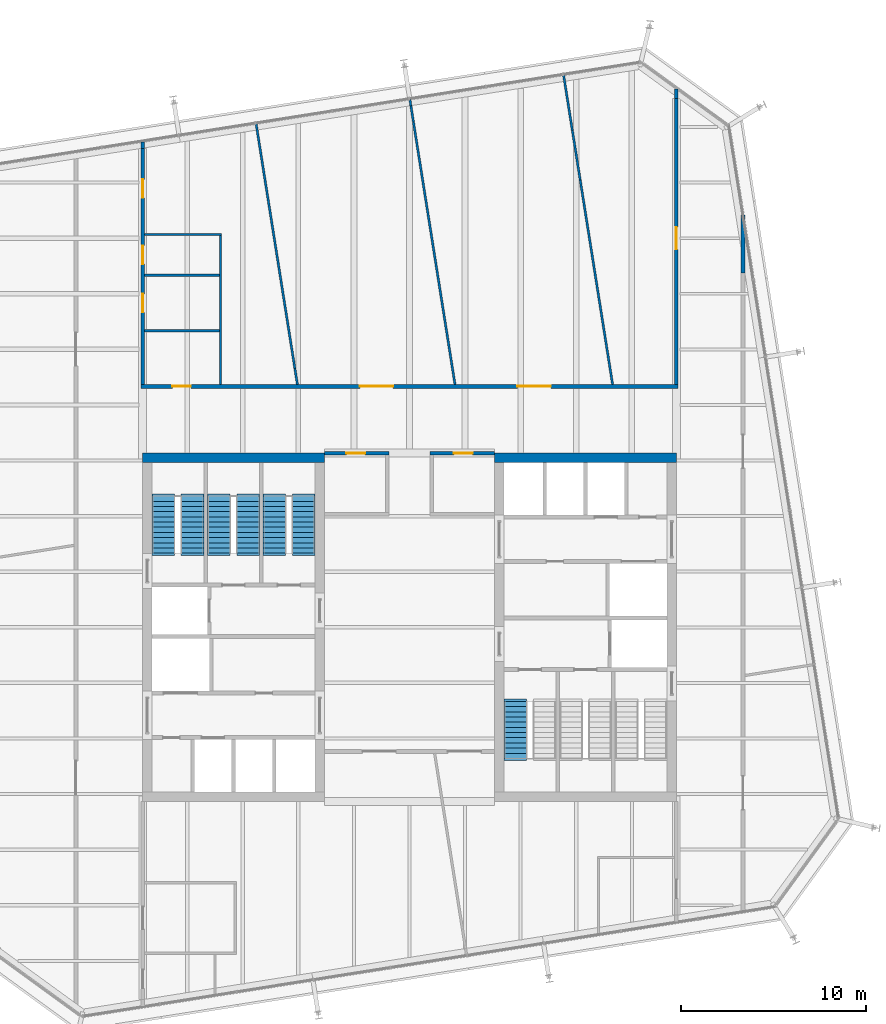
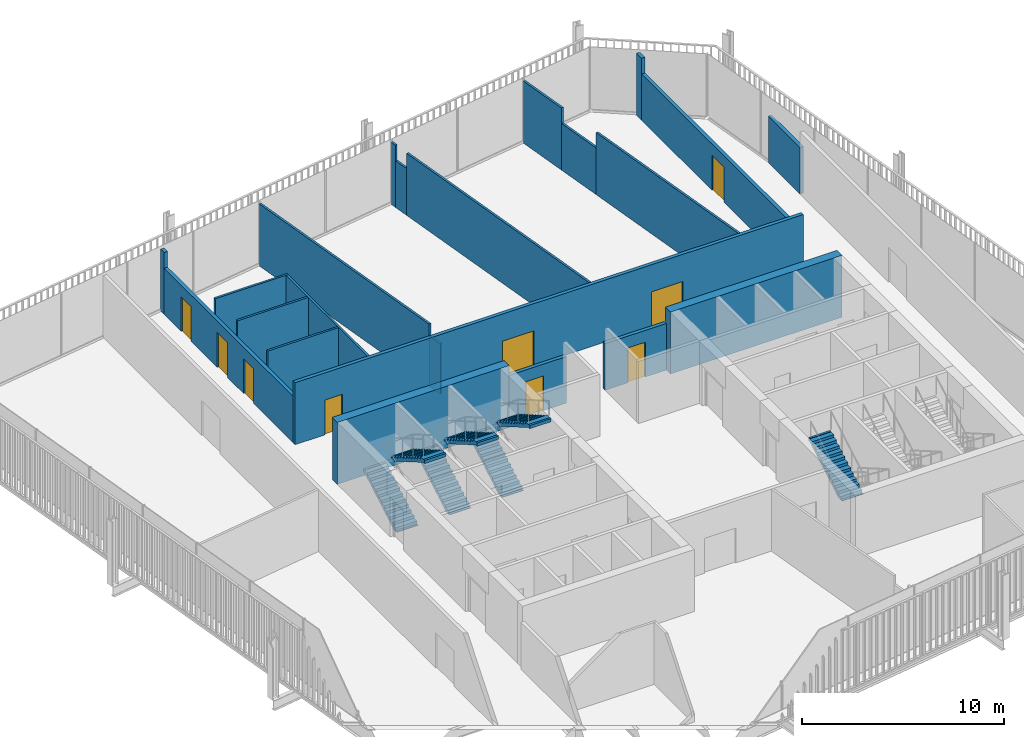
# One storey, part 18 of 20: 22 walls, 9 doors, 7 stair flights, 9 openings, 4 elements without a shape of their own.
"""IFC4 building model written with IfcOpenShell, lengths in metres."""

from ifc_helpers import new_model, si_unit, direction, frame, frame_2d, origin, place, context, subcontext, project, spatial, polyline, rectangle, outline, extrude, material, layer, layer_set, type_object, element, fill, aggregate, save


model = new_model("IFC4")

# Units and contexts
model_context = context("Model", 3, precision=1e-05, world=origin(), true_north=direction((0.0, 1.0)))
body_context = subcontext(model_context, "Body", "Model", "MODEL_VIEW")
ifc_project = project(units=[si_unit("LENGTHUNIT", "METRE"), si_unit("AREAUNIT", "SQUARE_METRE"), si_unit("VOLUMEUNIT", "CUBIC_METRE"), si_unit("PLANEANGLEUNIT", "RADIAN"), si_unit("MASSUNIT", "GRAM", prefix="KILO")], contexts=[model_context])

# Site, building, storey
site_placement = place(None, origin())
site = spatial("IfcSite", under=ifc_project, at=site_placement, CompositionType="ELEMENT")
building_placement = place(site_placement, origin())
building = spatial("IfcBuilding", under=site, at=building_placement, Name="Millrace Tower", CompositionType="ELEMENT")
storey_placement = place(building_placement, frame((0.0, 0.0, 224.199951171875)))
storey = spatial("IfcBuildingStorey", under=building, at=storey_placement, Name="L51", CompositionType="ELEMENT", Elevation=224.199951171875)

# Walls
ifc_material_1 = material(Name="Concrete C60", Category="concrete")
ifc_layer_1 = layer(ifc_material_1, 0.5)
ifc_layer_set_1 = layer_set([ifc_layer_1], Name="Concrete C60")
wall_type_1 = type_object("IfcWallType", Name="Core wall 500 Concrete C60", PredefinedType="SHEAR", material=ifc_layer_set_1)
for number, where, z_axis, x_axis, name in (
    (1, (-14.39990234375, 9.14990234375, 0.0), (0.0, 0.0, 1.0), (1.0, 0.0, 0.0), "Core wall W L51"),
    (2, (14.39990234375, 9.14990234375, 0.0), (0.0, 0.0, 1.0), (-1.0, 0.0, 0.0), "Core wall E L51"),
):
    element("IfcWall", number, at=place(storey_placement, frame(where, z_axis=z_axis, x_axis=x_axis)), inside=storey, type_object=wall_type_1, Name=name, PredefinedType="SHEAR", context=body_context, shape_type="SweptSolid", body=[
        extrude(rectangle(XDim=9.7998046875, YDim=0.5, at=frame_2d((4.89990234375, 0.0))), origin(), (0.0, 0.0, 1.0), 3.739990234375),
    ])

# Wall, opening, door
ifc_material_2 = material(Name="Masonry partition, fire-rated", Category="masonry")
ifc_layer_2 = layer(ifc_material_2, 0.199951171875)
ifc_layer_set_2 = layer_set([ifc_layer_2], Name="Masonry partition, fire-rated")
wall_type_2 = type_object("IfcWallType", Name="Corridor wall 200", PredefinedType="PARTITIONING", material=ifc_layer_set_2)
wall_1_placement = place(storey_placement, frame((-4.60009765625, 9.39990234375, 0.0), z_axis=(0.0, 0.0, 1.0), x_axis=(1.0, 0.0, 0.0)))
wall_1 = element("IfcWall", 3, at=wall_1_placement, inside=storey, type_object=wall_type_2, Name="Corridor wall L51", PredefinedType="PARTITIONING", context=body_context, shape_type="SweptSolid", body=[
    extrude(rectangle(XDim=3.5, YDim=0.199951171875, at=frame_2d((1.75, 0.0))), origin(), (0.0, 0.0, 1.0), 2.81298828125),
])
opening_1_placement = place(wall_1_placement, frame((1.199951171875, 0.0, 0.0)))
opening_1 = element("IfcOpeningElement", 4, at=opening_1_placement, cuts=wall_1, Name="Opening 51-P001", PredefinedType="OPENING", context=body_context, shape_type="SweptSolid", body=[
    extrude(rectangle(XDim=1.0, YDim=2.10009765625, at=frame_2d((0.5, 1.050048828125))), frame((0.0, 0.10986328125, 0.0), z_axis=(0.0, -1.0, 0.0), x_axis=(1.0, 0.0, 0.0)), (0.0, 0.0, 1.0), 0.219970703125),
])
ifc_material_3 = material(Name="Steel door set, fire-rated", Category="steel")
door_type_1 = type_object("IfcDoorType", Name="Corridor door 1000 x 2100", OperationType="SINGLE_SWING_LEFT", PredefinedType="DOOR", material=ifc_material_3)
door_1_placement = place(opening_1_placement, frame((1.0, 0.0, 0.0), z_axis=(0.0, 0.0, 1.0), x_axis=(-1.0, 0.0, 0.0)))
door_1 = element("IfcDoor", 5, at=door_1_placement, inside=storey, type_object=door_type_1, Name="Door 51-P001", OperationType="SINGLE_SWING_LEFT", OverallHeight=2.10009765625, OverallWidth=1.0, PredefinedType="DOOR", context=body_context, shape_type="SweptSolid", body=[
    extrude(rectangle(XDim=1.0, YDim=2.10009765625, at=frame_2d((0.5, 1.050048828125))), frame((0.0, 0.02490234375, 0.0), z_axis=(0.0, -1.0, 0.0), x_axis=(1.0, 0.0, 0.0)), (0.0, 0.0, 1.0), 0.050048828125),
])
fill(opening_1, door_1)

wall_2_placement = place(storey_placement, frame((1.10009765625, 9.39990234375, 0.0), z_axis=(0.0, 0.0, 1.0), x_axis=(1.0, 0.0, 0.0)))
wall_2 = element("IfcWall", 6, at=wall_2_placement, inside=storey, type_object=wall_type_2, Name="Corridor wall L51", PredefinedType="PARTITIONING", context=body_context, shape_type="SweptSolid", body=[
    extrude(rectangle(XDim=3.5, YDim=0.199951171875, at=frame_2d((1.75, 0.0))), origin(), (0.0, 0.0, 1.0), 2.81298828125),
])
opening_2_placement = place(wall_2_placement, frame((1.300048828125, 0.0, 0.0)))
opening_2 = element("IfcOpeningElement", 7, at=opening_2_placement, cuts=wall_2, Name="Opening 51-P002", PredefinedType="OPENING", context=body_context, shape_type="SweptSolid", body=[
    extrude(rectangle(XDim=1.0, YDim=2.10009765625, at=frame_2d((0.5, 1.050048828125))), frame((0.0, 0.10986328125, 0.0), z_axis=(0.0, -1.0, 0.0), x_axis=(1.0, 0.0, 0.0)), (0.0, 0.0, 1.0), 0.219970703125),
])
door_2_placement = place(opening_2_placement, frame((1.0, 0.0, 0.0), z_axis=(0.0, 0.0, 1.0), x_axis=(-1.0, 0.0, 0.0)))
door_2 = element("IfcDoor", 8, at=door_2_placement, inside=storey, type_object=door_type_1, Name="Door 51-P002", OperationType="SINGLE_SWING_LEFT", OverallHeight=2.10009765625, OverallWidth=1.0, PredefinedType="DOOR", context=body_context, shape_type="SweptSolid", body=[
    extrude(rectangle(XDim=1.0, YDim=2.10009765625, at=frame_2d((0.5, 1.050048828125))), frame((0.0, 0.02490234375, 0.0), z_axis=(0.0, -1.0, 0.0), x_axis=(1.0, 0.0, 0.0)), (0.0, 0.0, 1.0), 0.050048828125),
])
fill(opening_2, door_2)

# Wall, openings, doors
wall_3_placement = place(storey_placement, frame((-14.5, 13.0, 0.0), z_axis=(0.0, 0.0, 1.0), x_axis=(1.0, 0.0, 0.0)))
wall_3 = element("IfcWall", 9, at=wall_3_placement, inside=storey, type_object=wall_type_2, Name="Corridor wall L51", PredefinedType="PARTITIONING", context=body_context, shape_type="SweptSolid", body=[
    extrude(rectangle(XDim=29.0, YDim=0.199951171875, at=frame_2d((14.5, 0.0))), origin(), (0.0, 0.0, 1.0), 3.739990234375),
])
opening_3_placement = place(wall_3_placement, frame((1.699951171875, 0.0, 0.0)))
opening_3 = element("IfcOpeningElement", 10, at=opening_3_placement, cuts=wall_3, Name="Opening 51-P006", PredefinedType="OPENING", context=body_context, shape_type="SweptSolid", body=[
    extrude(rectangle(XDim=1.0, YDim=2.10009765625, at=frame_2d((0.5, 1.050048828125))), frame((0.0, 0.10986328125, 0.0), z_axis=(0.0, -1.0, 0.0), x_axis=(1.0, 0.0, 0.0)), (0.0, 0.0, 1.0), 0.219970703125),
])
opening_4_placement = place(wall_3_placement, frame((11.819580078125, 0.0, 0.0)))
opening_4 = element("IfcOpeningElement", 11, at=opening_4_placement, cuts=wall_3, Name="Opening 51-P009", PredefinedType="OPENING", context=body_context, shape_type="SweptSolid", body=[
    extrude(rectangle(XDim=1.800048828125, YDim=2.10009765625, at=frame_2d((0.89990234375, 1.050048828125))), frame((0.0, 0.10986328125, 0.0), z_axis=(0.0, -1.0, 0.0), x_axis=(1.0, 0.0, 0.0)), (0.0, 0.0, 1.0), 0.219970703125),
])
opening_5_placement = place(wall_3_placement, frame((20.324462890625, 0.0, 0.0)))
opening_5 = element("IfcOpeningElement", 12, at=opening_5_placement, cuts=wall_3, Name="Opening 51-P010", PredefinedType="OPENING", context=body_context, shape_type="SweptSolid", body=[
    extrude(rectangle(XDim=1.800048828125, YDim=2.10009765625, at=frame_2d((0.89990234375, 1.050048828125))), frame((0.0, 0.10986328125, 0.0), z_axis=(0.0, -1.0, 0.0), x_axis=(1.0, 0.0, 0.0)), (0.0, 0.0, 1.0), 0.219970703125),
])
door_3_placement = place(opening_3_placement, origin())
door_3 = element("IfcDoor", 13, at=door_3_placement, inside=storey, type_object=door_type_1, Name="Door 51-P006", OperationType="SINGLE_SWING_LEFT", OverallHeight=2.10009765625, OverallWidth=1.0, PredefinedType="DOOR", context=body_context, shape_type="SweptSolid", body=[
    extrude(rectangle(XDim=1.0, YDim=2.10009765625, at=frame_2d((0.5, 1.050048828125))), frame((0.0, 0.02490234375, 0.0), z_axis=(0.0, -1.0, 0.0), x_axis=(1.0, 0.0, 0.0)), (0.0, 0.0, 1.0), 0.050048828125),
])
fill(opening_3, door_3)
ifc_material_4 = material(Name="Steel door set, fire-rated", Category="steel")
door_type_2 = type_object("IfcDoorType", Name="Corridor door 1800 x 2100", OperationType="DOUBLE_DOOR_SINGLE_SWING", PredefinedType="DOOR", material=ifc_material_4)
door_4_placement = place(opening_4_placement, origin())
door_4 = element("IfcDoor", 14, at=door_4_placement, inside=storey, type_object=door_type_2, Name="Door 51-P009", OperationType="DOUBLE_DOOR_SINGLE_SWING", OverallHeight=2.10009765625, OverallWidth=1.800048828125, PredefinedType="DOOR", context=body_context, shape_type="SweptSolid", body=[
    extrude(rectangle(XDim=1.800048828125, YDim=2.10009765625, at=frame_2d((0.89990234375, 1.050048828125))), frame((0.0, 0.02490234375, 0.0), z_axis=(0.0, -1.0, 0.0), x_axis=(1.0, 0.0, 0.0)), (0.0, 0.0, 1.0), 0.050048828125),
])
fill(opening_4, door_4)
door_5_placement = place(opening_5_placement, origin())
door_5 = element("IfcDoor", 15, at=door_5_placement, inside=storey, type_object=door_type_2, Name="Door 51-P010", OperationType="DOUBLE_DOOR_SINGLE_SWING", OverallHeight=2.10009765625, OverallWidth=1.800048828125, PredefinedType="DOOR", context=body_context, shape_type="SweptSolid", body=[
    extrude(rectangle(XDim=1.800048828125, YDim=2.10009765625, at=frame_2d((0.89990234375, 1.050048828125))), frame((0.0, 0.02490234375, 0.0), z_axis=(0.0, -1.0, 0.0), x_axis=(1.0, 0.0, 0.0)), (0.0, 0.0, 1.0), 0.050048828125),
])
fill(opening_5, door_5)

# Wall
wall_4_placement = place(storey_placement, frame((18.0, 19.1171875, 0.0), z_axis=(0.0, 0.0, 1.0), x_axis=(0.0, 1.0, 0.0)))
element("IfcWall", 16, at=wall_4_placement, inside=storey, type_object=wall_type_2, Name="Corridor wall L51", PredefinedType="PARTITIONING", context=body_context, shape_type="SweptSolid", body=[
    extrude(rectangle(XDim=3.137451171875, YDim=0.199951171875, at=frame_2d((1.56884765625, 0.0))), origin(), (0.0, 0.0, 1.0), 2.81298828125),
])

# Wall, opening, door
wall_5_placement = place(storey_placement, frame((14.39990234375, 13.10009765625, 0.0), z_axis=(0.0, 0.0, 1.0), x_axis=(0.0, 1.0, 0.0)))
wall_5 = element("IfcWall", 17, at=wall_5_placement, inside=storey, type_object=wall_type_2, Name="Corridor wall L51", PredefinedType="PARTITIONING", context=body_context, shape_type="SweptSolid", body=[
    extrude(rectangle(XDim=15.440673828125, YDim=0.199951171875, at=frame_2d((7.72021484375, 0.0))), origin(), (0.0, 0.0, 1.0), 2.792724609375),
])
opening_6_placement = place(wall_5_placement, frame((7.298095703125, 0.0, 0.0)))
opening_6 = element("IfcOpeningElement", 18, at=opening_6_placement, cuts=wall_5, Name="Opening 51-P011", PredefinedType="OPENING", context=body_context, shape_type="SweptSolid", body=[
    extrude(rectangle(XDim=1.199951171875, YDim=2.10009765625, at=frame_2d((0.60009765625, 1.050048828125))), frame((0.0, 0.10986328125, 0.0), z_axis=(0.0, -1.0, 0.0), x_axis=(1.0, 0.0, 0.0)), (0.0, 0.0, 1.0), 0.219970703125),
])
ifc_material_5 = material(Name="Steel door set, fire-rated", Category="steel")
door_type_3 = type_object("IfcDoorType", Name="Corridor door 1200 x 2100", OperationType="SINGLE_SWING_LEFT", PredefinedType="DOOR", material=ifc_material_5)
door_6_placement = place(opening_6_placement, origin())
door_6 = element("IfcDoor", 19, at=door_6_placement, inside=storey, type_object=door_type_3, Name="Door 51-P011", OperationType="SINGLE_SWING_RIGHT", OverallHeight=2.10009765625, OverallWidth=1.199951171875, PredefinedType="DOOR", context=body_context, shape_type="SweptSolid", body=[
    extrude(rectangle(XDim=1.199951171875, YDim=2.10009765625, at=frame_2d((0.60009765625, 1.050048828125))), frame((0.0, 0.02490234375, 0.0), z_axis=(0.0, -1.0, 0.0), x_axis=(1.0, 0.0, 0.0)), (0.0, 0.0, 1.0), 0.050048828125),
])
fill(opening_6, door_6)

# Wall
wall_6_placement = place(storey_placement, frame((14.39990234375, 28.540771484375, 0.0), z_axis=(0.0, 0.0, 1.0), x_axis=(0.0, 1.0, 0.0)))
element("IfcWall", 20, at=wall_6_placement, inside=storey, type_object=wall_type_2, Name="Corridor wall L51", PredefinedType="PARTITIONING", context=body_context, shape_type="SweptSolid", body=[
    extrude(rectangle(XDim=0.51708984375, YDim=0.199951171875, at=frame_2d((0.258544921875, 0.0))), origin(), (0.0, 0.0, 1.0), 3.739990234375),
])

# Wall, openings, doors
wall_7_placement = place(storey_placement, frame((-14.39990234375, 13.10009765625, 0.0), z_axis=(0.0, 0.0, 1.0), x_axis=(0.0, 1.0, 0.0)))
wall_7 = element("IfcWall", 21, at=wall_7_placement, inside=storey, type_object=wall_type_2, Name="Corridor wall L51", PredefinedType="PARTITIONING", context=body_context, shape_type="SweptSolid", body=[
    extrude(rectangle(XDim=12.74853515625, YDim=0.199951171875, at=frame_2d((6.374267578125, 0.0))), origin(), (0.0, 0.0, 1.0), 2.792724609375),
])
opening_7_placement = place(wall_7_placement, frame((10.073974609375, 0.0, 0.0)))
opening_7 = element("IfcOpeningElement", 22, at=opening_7_placement, cuts=wall_7, Name="Opening 51-P005", PredefinedType="OPENING", context=body_context, shape_type="SweptSolid", body=[
    extrude(rectangle(XDim=1.0, YDim=2.10009765625, at=frame_2d((0.5, 1.050048828125))), frame((0.0, 0.10986328125, 0.0), z_axis=(0.0, -1.0, 0.0), x_axis=(1.0, 0.0, 0.0)), (0.0, 0.0, 1.0), 0.219970703125),
])
opening_8_placement = place(wall_7_placement, frame((3.89990234375, 0.0, 0.0)))
opening_8 = element("IfcOpeningElement", 23, at=opening_8_placement, cuts=wall_7, Name="Opening 51-P007", PredefinedType="OPENING", context=body_context, shape_type="SweptSolid", body=[
    extrude(rectangle(XDim=1.0, YDim=2.10009765625, at=frame_2d((0.5, 1.050048828125))), frame((0.0, 0.10986328125, 0.0), z_axis=(0.0, -1.0, 0.0), x_axis=(1.0, 0.0, 0.0)), (0.0, 0.0, 1.0), 0.219970703125),
])
opening_9_placement = place(wall_7_placement, frame((6.5, 0.0, 0.0)))
opening_9 = element("IfcOpeningElement", 24, at=opening_9_placement, cuts=wall_7, Name="Opening 51-P008", PredefinedType="OPENING", context=body_context, shape_type="SweptSolid", body=[
    extrude(rectangle(XDim=1.0, YDim=2.10009765625, at=frame_2d((0.5, 1.050048828125))), frame((0.0, 0.10986328125, 0.0), z_axis=(0.0, -1.0, 0.0), x_axis=(1.0, 0.0, 0.0)), (0.0, 0.0, 1.0), 0.219970703125),
])
door_7_placement = place(opening_7_placement, frame((1.0, 0.0, 0.0), z_axis=(0.0, 0.0, 1.0), x_axis=(-1.0, 0.0, 0.0)))
door_7 = element("IfcDoor", 25, at=door_7_placement, inside=storey, type_object=door_type_1, Name="Door 51-P005", OperationType="SINGLE_SWING_LEFT", OverallHeight=2.10009765625, OverallWidth=1.0, PredefinedType="DOOR", context=body_context, shape_type="SweptSolid", body=[
    extrude(rectangle(XDim=1.0, YDim=2.10009765625, at=frame_2d((0.5, 1.050048828125))), frame((0.0, 0.02490234375, 0.0), z_axis=(0.0, -1.0, 0.0), x_axis=(1.0, 0.0, 0.0)), (0.0, 0.0, 1.0), 0.050048828125),
])
fill(opening_7, door_7)
door_8_placement = place(opening_8_placement, frame((1.0, 0.0, 0.0), z_axis=(0.0, 0.0, 1.0), x_axis=(-1.0, 0.0, 0.0)))
door_8 = element("IfcDoor", 26, at=door_8_placement, inside=storey, type_object=door_type_1, Name="Door 51-P007", OperationType="SINGLE_SWING_RIGHT", OverallHeight=2.10009765625, OverallWidth=1.0, PredefinedType="DOOR", context=body_context, shape_type="SweptSolid", body=[
    extrude(rectangle(XDim=1.0, YDim=2.10009765625, at=frame_2d((0.5, 1.050048828125))), frame((0.0, 0.02490234375, 0.0), z_axis=(0.0, -1.0, 0.0), x_axis=(1.0, 0.0, 0.0)), (0.0, 0.0, 1.0), 0.050048828125),
])
fill(opening_8, door_8)
door_9_placement = place(opening_9_placement, frame((1.0, 0.0, 0.0), z_axis=(0.0, 0.0, 1.0), x_axis=(-1.0, 0.0, 0.0)))
door_9 = element("IfcDoor", 27, at=door_9_placement, inside=storey, type_object=door_type_1, Name="Door 51-P008", OperationType="SINGLE_SWING_LEFT", OverallHeight=2.10009765625, OverallWidth=1.0, PredefinedType="DOOR", context=body_context, shape_type="SweptSolid", body=[
    extrude(rectangle(XDim=1.0, YDim=2.10009765625, at=frame_2d((0.5, 1.050048828125))), frame((0.0, 0.02490234375, 0.0), z_axis=(0.0, -1.0, 0.0), x_axis=(1.0, 0.0, 0.0)), (0.0, 0.0, 1.0), 0.050048828125),
])
fill(opening_9, door_9)

# Walls
wall_8_placement = place(storey_placement, frame((-14.39990234375, 25.8486328125, 0.0), z_axis=(0.0, 0.0, 1.0), x_axis=(0.0, 1.0, 0.0)))
element("IfcWall", 28, at=wall_8_placement, inside=storey, type_object=wall_type_2, Name="Corridor wall L51", PredefinedType="PARTITIONING", context=body_context, shape_type="SweptSolid", body=[
    extrude(rectangle(XDim=0.349609375, YDim=0.199951171875, at=frame_2d((0.1748046875, 0.0))), origin(), (0.0, 0.0, 1.0), 3.739990234375),
])
ifc_material_6 = material(Name="Gypsum board partition")
ifc_layer_3 = layer(ifc_material_6, 0.1201171875)
ifc_layer_set_3 = layer_set([ifc_layer_3], Name="Gypsum board partition")
wall_type_3 = type_object("IfcWallType", Name="Partition wall 120", PredefinedType="PARTITIONING", material=ifc_layer_set_3)
wall_9_placement = place(storey_placement, frame((-8.27685546875, 27.16796875, 0.0), z_axis=(0.0, 0.0, 1.0), x_axis=(0.156429057976, -0.987689196975, 0.0)))
element("IfcWall", 29, at=wall_9_placement, inside=storey, type_object=wall_type_3, Name="Partition wall L51", PredefinedType="PARTITIONING", context=body_context, shape_type="SweptSolid", body=[
    extrude(rectangle(XDim=13.356689453125, YDim=0.1201171875, at=frame_2d((6.67822265625, 0.0))), origin(), (0.0, 0.0, 1.0), 3.739990234375),
])
wall_10_placement = place(storey_placement, frame((-6.1875, 13.975830078125, 0.0), z_axis=(0.0, 0.0, 1.0), x_axis=(0.156456753073, -0.98768481026, 0.0)))
element("IfcWall", 30, at=wall_10_placement, inside=storey, type_object=wall_type_3, Name="Partition wall L51", PredefinedType="PARTITIONING", context=body_context, shape_type="SweptSolid", body=[
    extrude(rectangle(XDim=0.887939453125, YDim=0.1201171875, at=frame_2d((0.44384765625, 0.0))), origin(), (0.0, 0.0, 1.0), 3.046630859375),
])
wall_11_placement = place(storey_placement, frame((0.020263671875, 28.482177734375, 0.0), z_axis=(0.0, 0.0, 1.0), x_axis=(0.155999489422, -0.987757135788, 0.0)))
element("IfcWall", 31, at=wall_11_placement, inside=storey, type_object=wall_type_3, Name="Partition wall L51", PredefinedType="PARTITIONING", context=body_context, shape_type="SweptSolid", body=[
    extrude(rectangle(XDim=0.339599609375, YDim=0.1201171875, at=frame_2d((0.169921875, 0.0))), origin(), (0.0, 0.0, 1.0), 3.739990234375),
])
wall_12_placement = place(storey_placement, frame((0.0732421875, 28.146728515625, 0.0), z_axis=(0.0, 0.0, 1.0), x_axis=(0.156454153155, -0.987685222103, 0.0)))
element("IfcWall", 32, at=wall_12_placement, inside=storey, type_object=wall_type_3, Name="Partition wall L51", PredefinedType="PARTITIONING", context=body_context, shape_type="SweptSolid", body=[
    extrude(rectangle(XDim=0.892578125, YDim=0.1201171875, at=frame_2d((0.4462890625, 0.0))), origin(), (0.0, 0.0, 1.0), 2.81298828125),
])
wall_13_placement = place(storey_placement, frame((0.212890625, 27.26513671875, 0.0), z_axis=(0.0, 0.0, 1.0), x_axis=(0.156413589686, -0.9876916467, 0.0)))
element("IfcWall", 33, at=wall_13_placement, inside=storey, type_object=wall_type_3, Name="Partition wall L51", PredefinedType="PARTITIONING", context=body_context, shape_type="SweptSolid", body=[
    extrude(rectangle(XDim=14.3427734375, YDim=0.1201171875, at=frame_2d((7.17138671875, 0.0))), origin(), (0.0, 0.0, 1.0), 3.739990234375),
])
wall_14_placement = place(storey_placement, frame((8.316162109375, 29.796142578125, 0.0), z_axis=(0.0, 0.0, 1.0), x_axis=(0.15649998255, -0.987677961413, 0.0)))
element("IfcWall", 34, at=wall_14_placement, inside=storey, type_object=wall_type_3, Name="Partition wall L51", PredefinedType="PARTITIONING", context=body_context, shape_type="SweptSolid", body=[
    extrude(rectangle(XDim=3.00927734375, YDim=0.1201171875, at=frame_2d((1.504638671875, 0.0))), origin(), (0.0, 0.0, 1.0), 3.739990234375),
])
wall_15_placement = place(storey_placement, frame((8.787109375, 26.823974609375, 0.0), z_axis=(0.0, 0.0, 1.0), x_axis=(0.156436996348, -0.987687939672, 0.0)))
element("IfcWall", 35, at=wall_15_placement, inside=storey, type_object=wall_type_3, Name="Partition wall L51", PredefinedType="PARTITIONING", context=body_context, shape_type="SweptSolid", body=[
    extrude(rectangle(XDim=2.7216796875, YDim=0.1201171875, at=frame_2d((1.36083984375, 0.0))), origin(), (0.0, 0.0, 1.0), 2.81298828125),
])
wall_16_placement = place(storey_placement, frame((9.212890625, 24.1357421875, 0.0), z_axis=(0.0, 0.0, 1.0), x_axis=(0.156475271536, -0.987681876617, 0.0)))
element("IfcWall", 36, at=wall_16_placement, inside=storey, type_object=wall_type_3, Name="Partition wall L51", PredefinedType="PARTITIONING", context=body_context, shape_type="SweptSolid", body=[
    extrude(rectangle(XDim=11.174560546875, YDim=0.1201171875, at=frame_2d((5.58740234375, 0.0))), origin(), (0.0, 0.0, 1.0), 3.739990234375),
])
for number, where, z_axis, x_axis, name in (
    (37, (-14.300048828125, 16.0, 0.0), (0.0, 0.0, 1.0), (1.0, 0.0, 0.0), "Partition wall L51"),
    (38, (-14.300048828125, 19.0, 0.0), (0.0, 0.0, 1.0), (1.0, 0.0, 0.0), "Partition wall L51"),
):
    element("IfcWall", number, at=place(storey_placement, frame(where, z_axis=z_axis, x_axis=x_axis)), inside=storey, type_object=wall_type_3, Name=name, PredefinedType="PARTITIONING", context=body_context, shape_type="SweptSolid", body=[
        extrude(rectangle(XDim=4.0400390625, YDim=0.1201171875, at=frame_2d((2.02001953125, 0.0))), origin(), (0.0, 0.0, 1.0), 3.739990234375),
    ])
wall_17_placement = place(storey_placement, frame((-14.300048828125, 21.199951171875, 0.0), z_axis=(0.0, 0.0, 1.0), x_axis=(1.0, 0.0, 0.0)))
element("IfcWall", 39, at=wall_17_placement, inside=storey, type_object=wall_type_3, Name="Partition wall L51", PredefinedType="PARTITIONING", context=body_context, shape_type="SweptSolid", body=[
    extrude(rectangle(XDim=4.16015625, YDim=0.1201171875, at=frame_2d((2.080078125, 0.0))), origin(), (0.0, 0.0, 1.0), 3.739990234375),
])
wall_18_placement = place(storey_placement, frame((-10.199951171875, 13.10009765625, 0.0), z_axis=(0.0, 0.0, 1.0), x_axis=(0.0, 1.0, 0.0)))
element("IfcWall", 40, at=wall_18_placement, inside=storey, type_object=wall_type_3, Name="Partition wall L51", PredefinedType="PARTITIONING", context=body_context, shape_type="SweptSolid", body=[
    extrude(rectangle(XDim=8.039794921875, YDim=0.1201171875, at=frame_2d((4.02001953125, 0.0))), origin(), (0.0, 0.0, 1.0), 3.739990234375),
])

# Stair, stair flights
ifc_material_7 = material(Name="Concrete C35", Category="concrete")
stair_type = type_object("IfcStairType", Name="Exit stair", PredefinedType="HALF_TURN_STAIR", material=ifc_material_7)
placement = place(storey_placement, origin())
stair_1 = element("IfcStair", 41, at=placement, inside=storey, type_object=stair_type, Name="Stair 1 W L51", PredefinedType="HALF_TURN_STAIR")
ifc_material_8 = material(Name="Concrete C35", Category="concrete")
stair_flight_type = type_object("IfcStairFlightType", Name="Exit stair flight", PredefinedType="STRAIGHT", material=ifc_material_8)
stair_flight_1_placement = place(storey_placement, frame((-13.2900390625, 4.0, 0.0), z_axis=(0.0, 0.0, 1.0), x_axis=(0.0, 1.0, 0.0)))
stair_flight_1 = element("IfcStairFlight", 42, at=stair_flight_1_placement, type_object=stair_flight_type, Name="ST12 flight 1", NumberOfRisers=12, NumberOfTreads=11, PredefinedType="STRAIGHT", RiserHeight=0.1625, TreadLength=0.28, context=body_context, shape_type="SweptSolid", body=[
    extrude(outline(polyline([(-0.1201171875, -0.0400390625), (-0.1201171875, 0.0), (0.0, 0.0), (0.0, 0.16259765625), (0.280029296875, 0.16259765625), (0.280029296875, 0.324951171875), (0.56005859375, 0.324951171875), (0.56005859375, 0.487548828125), (0.840087890625, 0.487548828125), (0.840087890625, 0.64990234375), (1.1201171875, 0.64990234375), (1.1201171875, 0.8125), (1.39990234375, 0.8125), (1.39990234375, 0.97509765625), (1.679931640625, 0.97509765625), (1.679931640625, 1.137451171875), (1.9599609375, 1.137451171875), (1.9599609375, 1.300048828125), (2.239990234375, 1.300048828125), (2.239990234375, 1.46240234375), (2.52001953125, 1.46240234375), (2.52001953125, 1.625), (2.800048828125, 1.625), (2.800048828125, 1.78759765625), (3.080078125, 1.78759765625), (3.080078125, 1.8076171875), (3.199951171875, 1.8076171875), (3.199951171875, 1.6142578125), (3.080078125, 1.6142578125), (0.298583984375, 0.0), (0.298583984375, -0.0400390625), (-0.1201171875, -0.0400390625)])), frame((0.0, 0.60986328125, 0.0), z_axis=(0.0, -1.0, 0.0), x_axis=(1.0, 0.0, 0.0)), (0.0, 0.0, 1.0), 1.219970703125),
])
stair_flight_2_placement = place(storey_placement, frame((-11.7099609375, 7.080078125, 1.949951171875), z_axis=(0.0, 0.0, 1.0), x_axis=(0.0, -1.0, 0.0)))
stair_flight_2 = element("IfcStairFlight", 43, at=stair_flight_2_placement, type_object=stair_flight_type, Name="ST12 flight 2", NumberOfRisers=12, NumberOfTreads=11, PredefinedType="STRAIGHT", RiserHeight=0.1625, TreadLength=0.28, context=body_context, shape_type="SweptSolid", body=[
    extrude(outline(polyline([(-0.1201171875, -0.0400390625), (-0.1201171875, 0.0), (0.0, 0.0), (0.0, 0.16259765625), (0.280029296875, 0.16259765625), (0.280029296875, 0.324951171875), (0.56005859375, 0.324951171875), (0.56005859375, 0.487548828125), (0.840087890625, 0.487548828125), (0.840087890625, 0.64990234375), (1.1201171875, 0.64990234375), (1.1201171875, 0.8125), (1.39990234375, 0.8125), (1.39990234375, 0.97509765625), (1.679931640625, 0.97509765625), (1.679931640625, 1.137451171875), (1.9599609375, 1.137451171875), (1.9599609375, 1.300048828125), (2.239990234375, 1.300048828125), (2.239990234375, 1.46240234375), (2.52001953125, 1.46240234375), (2.52001953125, 1.625), (2.800048828125, 1.625), (2.800048828125, 1.78759765625), (3.080078125, 1.78759765625), (3.080078125, 1.8076171875), (3.199951171875, 1.8076171875), (3.199951171875, 1.6142578125), (3.080078125, 1.6142578125), (0.298583984375, 0.0), (0.298583984375, -0.0400390625), (-0.1201171875, -0.0400390625)])), frame((0.0, 0.60986328125, 0.0), z_axis=(0.0, -1.0, 0.0), x_axis=(1.0, 0.0, 0.0)), (0.0, 0.0, 1.0), 1.219970703125),
])
aggregate(stair_1, [stair_flight_1, stair_flight_2])

stair_2 = element("IfcStair", 44, at=placement, inside=storey, type_object=stair_type, Name="Stair 2 W L51", PredefinedType="HALF_TURN_STAIR")
stair_flight_3_placement = place(storey_placement, frame((-10.2900390625, 4.0, 0.0), z_axis=(0.0, 0.0, 1.0), x_axis=(0.0, 1.0, 0.0)))
stair_flight_3 = element("IfcStairFlight", 45, at=stair_flight_3_placement, type_object=stair_flight_type, Name="ST12 flight 1", NumberOfRisers=12, NumberOfTreads=11, PredefinedType="STRAIGHT", RiserHeight=0.1625, TreadLength=0.28, context=body_context, shape_type="SweptSolid", body=[
    extrude(outline(polyline([(-0.1201171875, -0.0400390625), (-0.1201171875, 0.0), (0.0, 0.0), (0.0, 0.16259765625), (0.280029296875, 0.16259765625), (0.280029296875, 0.324951171875), (0.56005859375, 0.324951171875), (0.56005859375, 0.487548828125), (0.840087890625, 0.487548828125), (0.840087890625, 0.64990234375), (1.1201171875, 0.64990234375), (1.1201171875, 0.8125), (1.39990234375, 0.8125), (1.39990234375, 0.97509765625), (1.679931640625, 0.97509765625), (1.679931640625, 1.137451171875), (1.9599609375, 1.137451171875), (1.9599609375, 1.300048828125), (2.239990234375, 1.300048828125), (2.239990234375, 1.46240234375), (2.52001953125, 1.46240234375), (2.52001953125, 1.625), (2.800048828125, 1.625), (2.800048828125, 1.78759765625), (3.080078125, 1.78759765625), (3.080078125, 1.8076171875), (3.199951171875, 1.8076171875), (3.199951171875, 1.6142578125), (3.080078125, 1.6142578125), (0.298583984375, 0.0), (0.298583984375, -0.0400390625), (-0.1201171875, -0.0400390625)])), frame((0.0, 0.60986328125, 0.0), z_axis=(0.0, -1.0, 0.0), x_axis=(1.0, 0.0, 0.0)), (0.0, 0.0, 1.0), 1.219970703125),
])
stair_flight_4_placement = place(storey_placement, frame((-8.7099609375, 7.080078125, 1.949951171875), z_axis=(0.0, 0.0, 1.0), x_axis=(0.0, -1.0, 0.0)))
stair_flight_4 = element("IfcStairFlight", 46, at=stair_flight_4_placement, type_object=stair_flight_type, Name="ST12 flight 2", NumberOfRisers=12, NumberOfTreads=11, PredefinedType="STRAIGHT", RiserHeight=0.1625, TreadLength=0.28, context=body_context, shape_type="SweptSolid", body=[
    extrude(outline(polyline([(-0.1201171875, -0.0400390625), (-0.1201171875, 0.0), (0.0, 0.0), (0.0, 0.16259765625), (0.280029296875, 0.16259765625), (0.280029296875, 0.324951171875), (0.56005859375, 0.324951171875), (0.56005859375, 0.487548828125), (0.840087890625, 0.487548828125), (0.840087890625, 0.64990234375), (1.1201171875, 0.64990234375), (1.1201171875, 0.8125), (1.39990234375, 0.8125), (1.39990234375, 0.97509765625), (1.679931640625, 0.97509765625), (1.679931640625, 1.137451171875), (1.9599609375, 1.137451171875), (1.9599609375, 1.300048828125), (2.239990234375, 1.300048828125), (2.239990234375, 1.46240234375), (2.52001953125, 1.46240234375), (2.52001953125, 1.625), (2.800048828125, 1.625), (2.800048828125, 1.78759765625), (3.080078125, 1.78759765625), (3.080078125, 1.8076171875), (3.199951171875, 1.8076171875), (3.199951171875, 1.6142578125), (3.080078125, 1.6142578125), (0.298583984375, 0.0), (0.298583984375, -0.0400390625), (-0.1201171875, -0.0400390625)])), frame((0.0, 0.60986328125, 0.0), z_axis=(0.0, -1.0, 0.0), x_axis=(1.0, 0.0, 0.0)), (0.0, 0.0, 1.0), 1.219970703125),
])
aggregate(stair_2, [stair_flight_3, stair_flight_4])

stair_3 = element("IfcStair", 47, at=placement, inside=storey, type_object=stair_type, Name="Stair 3 W L51", PredefinedType="HALF_TURN_STAIR")
stair_flight_5_placement = place(storey_placement, frame((-7.2900390625, 4.0, 0.0), z_axis=(0.0, 0.0, 1.0), x_axis=(0.0, 1.0, 0.0)))
stair_flight_5 = element("IfcStairFlight", 48, at=stair_flight_5_placement, type_object=stair_flight_type, Name="ST12 flight 1", NumberOfRisers=12, NumberOfTreads=11, PredefinedType="STRAIGHT", RiserHeight=0.1625, TreadLength=0.28, context=body_context, shape_type="SweptSolid", body=[
    extrude(outline(polyline([(-0.1201171875, -0.0400390625), (-0.1201171875, 0.0), (0.0, 0.0), (0.0, 0.16259765625), (0.280029296875, 0.16259765625), (0.280029296875, 0.324951171875), (0.56005859375, 0.324951171875), (0.56005859375, 0.487548828125), (0.840087890625, 0.487548828125), (0.840087890625, 0.64990234375), (1.1201171875, 0.64990234375), (1.1201171875, 0.8125), (1.39990234375, 0.8125), (1.39990234375, 0.97509765625), (1.679931640625, 0.97509765625), (1.679931640625, 1.137451171875), (1.9599609375, 1.137451171875), (1.9599609375, 1.300048828125), (2.239990234375, 1.300048828125), (2.239990234375, 1.46240234375), (2.52001953125, 1.46240234375), (2.52001953125, 1.625), (2.800048828125, 1.625), (2.800048828125, 1.78759765625), (3.080078125, 1.78759765625), (3.080078125, 1.8076171875), (3.199951171875, 1.8076171875), (3.199951171875, 1.6142578125), (3.080078125, 1.6142578125), (0.298583984375, 0.0), (0.298583984375, -0.0400390625), (-0.1201171875, -0.0400390625)])), frame((0.0, 0.60986328125, 0.0), z_axis=(0.0, -1.0, 0.0), x_axis=(1.0, 0.0, 0.0)), (0.0, 0.0, 1.0), 1.219970703125),
])
stair_flight_6_placement = place(storey_placement, frame((-5.7099609375, 7.080078125, 1.949951171875), z_axis=(0.0, 0.0, 1.0), x_axis=(0.0, -1.0, 0.0)))
stair_flight_6 = element("IfcStairFlight", 49, at=stair_flight_6_placement, type_object=stair_flight_type, Name="ST12 flight 2", NumberOfRisers=12, NumberOfTreads=11, PredefinedType="STRAIGHT", RiserHeight=0.1625, TreadLength=0.28, context=body_context, shape_type="SweptSolid", body=[
    extrude(outline(polyline([(-0.1201171875, -0.0400390625), (-0.1201171875, 0.0), (0.0, 0.0), (0.0, 0.16259765625), (0.280029296875, 0.16259765625), (0.280029296875, 0.324951171875), (0.56005859375, 0.324951171875), (0.56005859375, 0.487548828125), (0.840087890625, 0.487548828125), (0.840087890625, 0.64990234375), (1.1201171875, 0.64990234375), (1.1201171875, 0.8125), (1.39990234375, 0.8125), (1.39990234375, 0.97509765625), (1.679931640625, 0.97509765625), (1.679931640625, 1.137451171875), (1.9599609375, 1.137451171875), (1.9599609375, 1.300048828125), (2.239990234375, 1.300048828125), (2.239990234375, 1.46240234375), (2.52001953125, 1.46240234375), (2.52001953125, 1.625), (2.800048828125, 1.625), (2.800048828125, 1.78759765625), (3.080078125, 1.78759765625), (3.080078125, 1.8076171875), (3.199951171875, 1.8076171875), (3.199951171875, 1.6142578125), (3.080078125, 1.6142578125), (0.298583984375, 0.0), (0.298583984375, -0.0400390625), (-0.1201171875, -0.0400390625)])), frame((0.0, 0.60986328125, 0.0), z_axis=(0.0, -1.0, 0.0), x_axis=(1.0, 0.0, 0.0)), (0.0, 0.0, 1.0), 1.219970703125),
])
aggregate(stair_3, [stair_flight_5, stair_flight_6])

# Stair, stair flight
stair_4 = element("IfcStair", 50, at=placement, inside=storey, type_object=stair_type, Name="Stair 3 E L51", PredefinedType="HALF_TURN_STAIR")
stair_flight_7_placement = place(storey_placement, frame((5.7099609375, -7.080078125, 1.949951171875), z_axis=(0.0, 0.0, 1.0), x_axis=(0.0, 1.0, 0.0)))
stair_flight_7 = element("IfcStairFlight", 51, at=stair_flight_7_placement, type_object=stair_flight_type, Name="ST12 flight 2", NumberOfRisers=12, NumberOfTreads=11, PredefinedType="STRAIGHT", RiserHeight=0.1625, TreadLength=0.28, context=body_context, shape_type="SweptSolid", body=[
    extrude(outline(polyline([(-0.1201171875, -0.0400390625), (-0.1201171875, 0.0), (0.0, 0.0), (0.0, 0.16259765625), (0.280029296875, 0.16259765625), (0.280029296875, 0.324951171875), (0.56005859375, 0.324951171875), (0.56005859375, 0.487548828125), (0.840087890625, 0.487548828125), (0.840087890625, 0.64990234375), (1.1201171875, 0.64990234375), (1.1201171875, 0.8125), (1.39990234375, 0.8125), (1.39990234375, 0.97509765625), (1.679931640625, 0.97509765625), (1.679931640625, 1.137451171875), (1.9599609375, 1.137451171875), (1.9599609375, 1.300048828125), (2.239990234375, 1.300048828125), (2.239990234375, 1.46240234375), (2.52001953125, 1.46240234375), (2.52001953125, 1.625), (2.800048828125, 1.625), (2.800048828125, 1.78759765625), (3.080078125, 1.78759765625), (3.080078125, 1.8076171875), (3.199951171875, 1.8076171875), (3.199951171875, 1.6142578125), (3.080078125, 1.6142578125), (0.298583984375, 0.0), (0.298583984375, -0.0400390625), (-0.1201171875, -0.0400390625)])), frame((0.0, 0.60986328125, 0.0), z_axis=(0.0, -1.0, 0.0), x_axis=(1.0, 0.0, 0.0)), (0.0, 0.0, 1.0), 1.219970703125),
])
aggregate(stair_4, [stair_flight_7])

save(model, "model.ifc")
